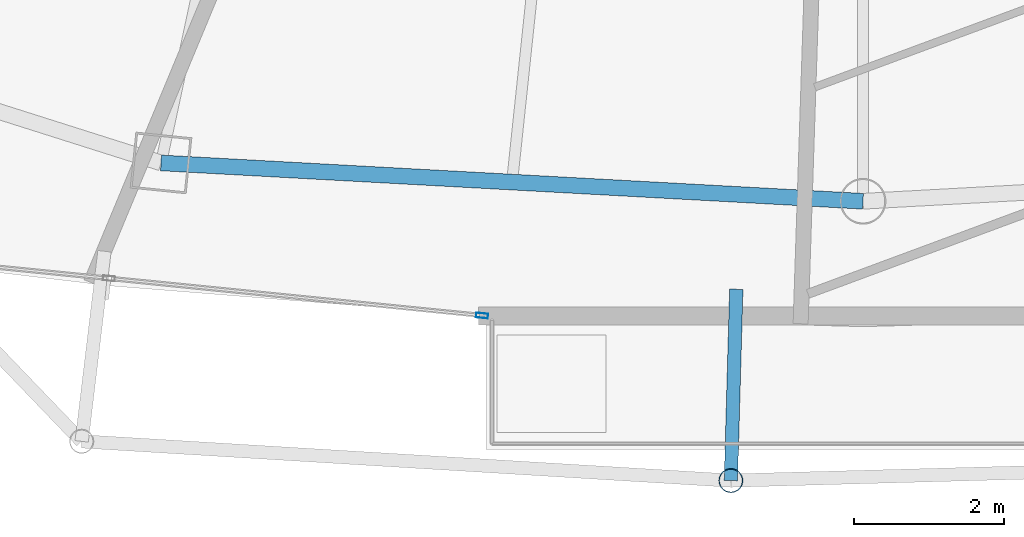
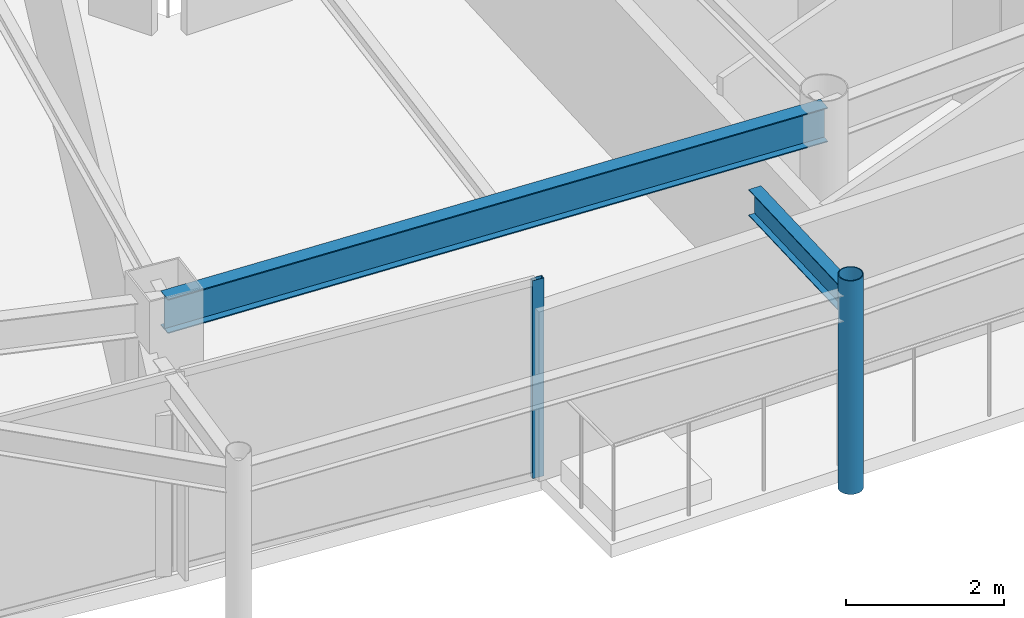
# One storey, part 7 of 29: 2 beams, 2 members, 1 element without a shape of its own.
"""IFC4 building model written with IfcOpenShell, lengths in metres."""

from ifc_helpers import new_model, si_unit, direction, frame, origin, origin_2d, place, context, subcontext, project, spatial, hollow_rectangle, hollow_circle, i_section, extrude, material, layer, layer_set, material_profile, profile_set, type_object, element, aggregate, save


model = new_model("IFC4")

# Units and contexts
model_context = context("Model", 3, precision=1e-05, world=origin(), true_north=direction((0.0, 1.0)))
body_context = subcontext(model_context, "Body", "Model", "MODEL_VIEW")
ifc_project = project(units=[si_unit("LENGTHUNIT", "METRE"), si_unit("AREAUNIT", "SQUARE_METRE"), si_unit("VOLUMEUNIT", "CUBIC_METRE"), si_unit("PLANEANGLEUNIT", "RADIAN"), si_unit("MASSUNIT", "GRAM", prefix="KILO")], contexts=[model_context])

# Site, building, storey
site_placement = place(None, origin())
site = spatial("IfcSite", under=ifc_project, at=site_placement, CompositionType="ELEMENT")
building_placement = place(site_placement, origin())
building = spatial("IfcBuilding", under=site, at=building_placement, Name="Orvanel Arch Residences", CompositionType="ELEMENT")
storey_placement = place(building_placement, frame((0.0, 0.0, 243.64990234375)))
storey = spatial("IfcBuildingStorey", under=building, at=storey_placement, Name="L69", CompositionType="ELEMENT", Elevation=243.64990234375)

# Curtain wall, member
ifc_material_1 = material(Name="Bronze-anodised aluminium AA6063-T6", Category="aluminium")
ifc_layer = layer(ifc_material_1, 0.175048828125)
ifc_layer_set = layer_set([ifc_layer], Name="Bronze-anodised aluminium AA6063-T6")
curtain_wall_type = type_object("IfcCurtainWallType", Name="CW4-HI-SYS", PredefinedType="NOTDEFINED", material=ifc_layer_set)
curtain_wall_placement = place(storey_placement, origin())
curtain_wall = element("IfcCurtainWall", 1, at=curtain_wall_placement, inside=storey, type_object=curtain_wall_type, Name="L69 CW4-HI-SYS Unitised Curtain Wall", PredefinedType="NOTDEFINED")
ifc_material_profile_1 = material_profile(ifc_material_1, hollow_rectangle(XDim=0.06494140625, YDim=0.159912109375, WallThickness=0.00390625, at=origin_2d()), Name="ALU160x65x4")
ifc_profile_set_1 = profile_set([ifc_material_profile_1], Name="Bronze-anodised aluminium AA6063-T6")
member_type_1 = type_object("IfcMemberType", Name="MUL-160x65", PredefinedType="MULLION", material=ifc_profile_set_1)
member_1_placement = place(storey_placement, frame((27.92578125, 5.3212890625, 0.0), z_axis=(0.0, 0.0, 1.0), x_axis=(0.099356011792, 0.99505194986, 0.0)))
member_1 = element("IfcMember", 2, at=member_1_placement, type_object=member_type_1, Name="CW-S4 mullion 3", PredefinedType="MULLION", context=body_context, shape_type="SweptSolid", body=[
    extrude(hollow_rectangle(XDim=0.06494140625, YDim=0.159912109375, WallThickness=0.00390625, at=origin_2d()), origin(), (0.0, 0.0, 1.0), 3.06005859375),
])
aggregate(curtain_wall, [member_1])

# Beams
ifc_material_2 = material(Name="Structural steel AS/NZS 3679.1 Grade 300 (300 MPa)", Category="steel")
ifc_material_profile_2 = material_profile(ifc_material_2, i_section(OverallWidth=0.177978515625, OverallDepth=0.406005859375, WebThickness=0.0078125, FlangeThickness=0.0126953125, at=origin_2d()), Name="410UB59.7")
ifc_profile_set_2 = profile_set([ifc_material_profile_2], Name="Structural steel AS/NZS 3679.1 Grade 300 (300 MPa)")
beam_type_1 = type_object("IfcBeamType", Name="OB-410UB-EXT", PredefinedType="SPANDREL", material=ifc_profile_set_2)
beam_1_placement = place(storey_placement, frame((31.31201171875, 5.672119140625, 2.857177734375), z_axis=(-0.028242727986, -0.999601094595, 0.0), x_axis=(0.999601094595, -0.028242727986, 0.0)))
element("IfcBeam", 3, at=beam_1_placement, inside=storey, type_object=beam_type_1, Name="L69 Outer Frame Radial Tie Beam 06", PredefinedType="SPANDREL", context=body_context, shape_type="SweptSolid", body=[
    extrude(i_section(OverallWidth=0.177978515625, OverallDepth=0.406005859375, WebThickness=0.0078125, FlangeThickness=0.0126953125, at=origin_2d()), origin(), (0.0, 0.0, 1.0), 2.550048828125),
])
ifc_material_profile_3 = material_profile(ifc_material_2, i_section(OverallWidth=0.208984375, OverallDepth=0.532958984375, WebThickness=0.01025390625, FlangeThickness=0.015625, at=origin_2d()), Name="530UB92.4")
ifc_profile_set_3 = profile_set([ifc_material_profile_3], Name="Structural steel AS/NZS 3679.1 Grade 300 (300 MPa)")
beam_type_2 = type_object("IfcBeamType", Name="SP-530UB", PredefinedType="SPANDREL", material=ifc_profile_set_3)
beam_2_placement = place(storey_placement, frame((23.64892578125, 7.35498046875, 2.794189453125), z_axis=(0.998510315598, -0.054563262768, 0.0), x_axis=(0.054563262768, 0.998510315598, 0.0)))
element("IfcBeam", 4, at=beam_2_placement, inside=storey, type_object=beam_type_2, Name="L69 Perimeter Spandrel Beam 03", PredefinedType="SPANDREL", context=body_context, shape_type="SweptSolid", body=[
    extrude(i_section(OverallWidth=0.208984375, OverallDepth=0.532958984375, WebThickness=0.01025390625, FlangeThickness=0.015625, at=origin_2d()), origin(), (0.0, 0.0, 1.0), 9.364990234375),
])

# Member
ifc_material_3 = material(Name="Structural steel AS/NZS 1163 C350L0 (Grade 350)", Category="steel")
ifc_material_profile_4 = material_profile(ifc_material_3, hollow_circle(Radius=0.162109375, WallThickness=0.0126953125, at=origin_2d()), Name="CHS324x12.7")
ifc_profile_set_4 = profile_set([ifc_material_profile_4], Name="Structural steel AS/NZS 1163 C350L0 (Grade 350)")
member_type_2 = type_object("IfcMemberType", Name="ST-324CHS-EXT", PredefinedType="STRUT", material=ifc_profile_set_4)
member_2_placement = place(storey_placement, frame((31.239990234375, 3.123046875, 0.0), z_axis=(0.0, 0.0, 1.0), x_axis=(1.0, 0.0, 0.0)))
element("IfcMember", 5, at=member_2_placement, inside=storey, type_object=member_type_2, Name="L69 Outer Perimeter Frame Post 06", PredefinedType="STRUT", context=body_context, shape_type="SweptSolid", body=[
    extrude(hollow_circle(Radius=0.162109375, WallThickness=0.0126953125, at=origin_2d()), origin(), (0.0, 0.0, 1.0), 3.300048828125),
])

save(model, "model.ifc")
